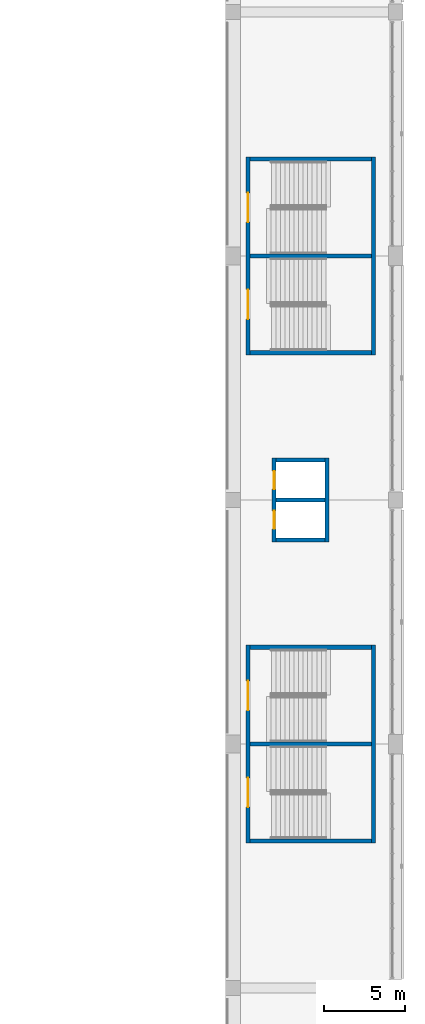
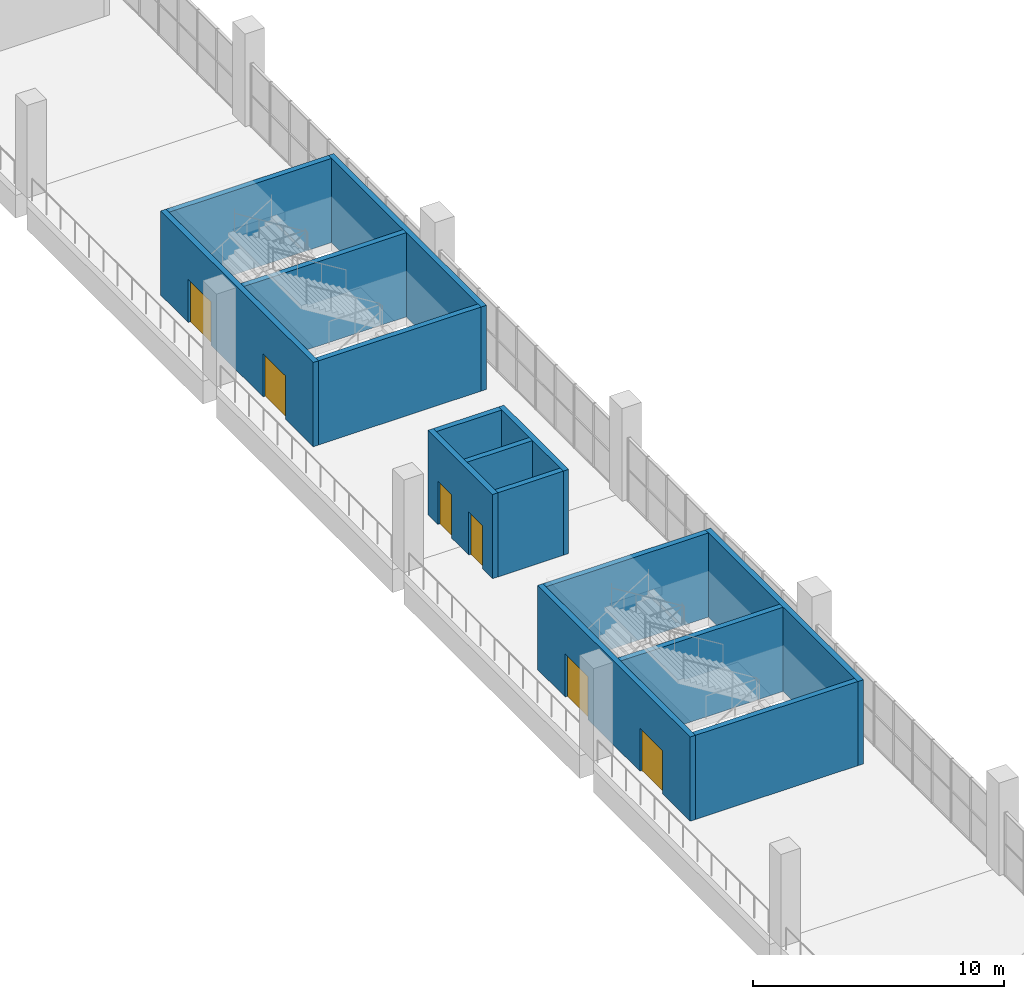
# One storey, part 65 of 177: 15 walls, 6 doors, 6 openings.
"""IFC4 building model written with IfcOpenShell, lengths in metres."""

import ifcopenshell
import ifcopenshell.guid

model = None  # the IFC model being written
_history = None  # IfcOwnerHistory: only IFC2X3 demands one
_inside = {}  # id of a spatial element -> (the spatial element, [elements in it])
_under = {}  # id of a project, library or spatial element -> (it, [spatial elements below it])
_declared = {}  # id of a project -> (the project, [libraries it declares])
_typed = {}  # id of a type object -> (the type object, [elements of that type])
_made_of = {}  # id of a material, layer set ... -> (it, [elements and type objects made of it])


def new_model(schema):
    """Start an empty IFC model of exactly this schema.

    Asked for "IFC4X3", IfcOpenShell would pick the latest addendum, in which some entities
    have other attributes; the version numbers below select the first issue.
    IFC2X3 requires an IfcOwnerHistory on every rooted entity: one is made here for all.
    """
    global model, _history
    if schema == "IFC4X3":
        model = ifcopenshell.file(schema_version=(4, 3, 0, 0))
    else:
        model = ifcopenshell.file(schema=schema)
    _inside.clear()
    _under.clear()
    _declared.clear()
    _typed.clear()
    _made_of.clear()
    _history = None
    if model.schema == "IFC2X3":
        org = make("IfcOrganization", Name="unknown")
        user = make(
            "IfcPersonAndOrganization",
            ThePerson=make("IfcPerson", FamilyName="unknown"),
            TheOrganization=org,
        )
        app = make(
            "IfcApplication",
            ApplicationDeveloper=org,
            Version="unknown",
            ApplicationFullName="unknown",
            ApplicationIdentifier="unknown",
        )
        _history = make(
            "IfcOwnerHistory",
            OwningUser=user,
            OwningApplication=app,
            ChangeAction="ADDED",
            CreationDate=0,
        )
    return model


def make(cls, **values):
    """One entity of the class cls with the attributes given. An attribute that is None is left unset."""
    return model.create_entity(
        cls, **{name: value for name, value in values.items() if value is not None}
    )


def rooted(cls, **values):
    """An entity with a GlobalId (a new one), such as an element, a storey or a relation."""
    return make(cls, GlobalId=ifcopenshell.guid.new(), OwnerHistory=_history, **values)


def si_unit(unit_type, name, prefix=None):
    """IfcSIUnit, for example si_unit("LENGTHUNIT", "METRE", prefix="MILLI")."""
    return make("IfcSIUnit", UnitType=unit_type, Prefix=prefix, Name=name)


def assignment(units):
    """IfcUnitAssignment: the units of a project."""
    return None if units is None else make("IfcUnitAssignment", Units=units)


def point(xyz):
    """IfcCartesianPoint."""
    return None if xyz is None else make("IfcCartesianPoint", Coordinates=xyz)


def direction(xyz):
    """IfcDirection."""
    return None if xyz is None else make("IfcDirection", DirectionRatios=xyz)


def frame(location, z_axis=None, x_axis=None):
    """IfcAxis2Placement3D, a coordinate frame: its origin and axes. An axis left out is left unset."""
    return make(
        "IfcAxis2Placement3D",
        Location=point(location),
        Axis=direction(z_axis),
        RefDirection=direction(x_axis),
    )


def frame_2d(location, x_axis=None):
    """IfcAxis2Placement2D, a coordinate frame in the plane: its origin and x axis."""
    return make(
        "IfcAxis2Placement2D", Location=point(location), RefDirection=direction(x_axis)
    )


def origin():
    """The frame at (0, 0, 0) with its axes left unset."""
    return frame((0.0, 0.0, 0.0))


def place(relative_to, where):
    """IfcLocalPlacement: puts the frame where relative to a parent placement (None: the world)."""
    return make(
        "IfcLocalPlacement", PlacementRelTo=relative_to, RelativePlacement=where
    )


def context(
    kind, dimensions, precision=None, world=None, true_north=None, identifier=None
):
    """IfcGeometricRepresentationContext, for example the 3D "Model" context."""
    return make(
        "IfcGeometricRepresentationContext",
        ContextIdentifier=identifier,
        ContextType=kind,
        CoordinateSpaceDimension=dimensions,
        Precision=precision,
        WorldCoordinateSystem=world,
        TrueNorth=true_north,
    )


def subcontext(parent, identifier, kind, view, scale=None):
    """IfcGeometricRepresentationSubContext, for example "Body" below "Model"."""
    return make(
        "IfcGeometricRepresentationSubContext",
        ContextIdentifier=identifier,
        ContextType=kind,
        ParentContext=parent,
        TargetScale=scale,
        TargetView=view,
    )


def project(units=None, contexts=None):
    """IfcProject with its units and contexts."""
    return rooted(
        "IfcProject",
        Name="project",
        RepresentationContexts=contexts,
        UnitsInContext=assignment(units),
    )


def spatial(cls, under=None, at=None, **own):
    """A site, building, storey or space (cls), placed at a placement, below another one or the project."""
    s = rooted(cls, ObjectPlacement=at, **own)
    if under is not None:
        _under.setdefault(under.id(), (under, []))[1].append(s)
    return s


def profile(cls, at=None, kind="AREA", **sizes):
    """A parametric profile (cls). Its sizes go by their IFC names, for example OverallWidth=200.0."""
    return make(cls, ProfileType=kind, Position=at, **sizes)


def rectangle(**sizes):
    """IfcRectangleProfileDef."""
    return profile("IfcRectangleProfileDef", **sizes)


def extrude(swept, where, along, depth):
    """IfcExtrudedAreaSolid: the profile swept, set in the frame where, extruded along a direction by depth."""
    return make(
        "IfcExtrudedAreaSolid",
        SweptArea=swept,
        Position=where,
        ExtrudedDirection=direction(along),
        Depth=depth,
    )


def shape(context_of_items, identifier, shape_type, items):
    """IfcShapeRepresentation: the items that make up one representation, for example the "Body"."""
    return make(
        "IfcShapeRepresentation",
        ContextOfItems=context_of_items,
        RepresentationIdentifier=identifier,
        RepresentationType=shape_type,
        Items=items,
    )


def material(Name=None, Category=None):
    """IfcMaterial."""
    return make("IfcMaterial", Name=Name, Category=Category)


def layer(
    of_material, thickness, ventilated=None, Name=None, Category=None, Priority=None
):
    """IfcMaterialLayer: one layer of a wall or slab, of a material (None: an air gap)."""
    return make(
        "IfcMaterialLayer",
        Material=of_material,
        LayerThickness=thickness,
        IsVentilated=ventilated,
        Name=Name,
        Category=Category,
        Priority=Priority,
    )


def layer_set(layers, Name=None):
    """IfcMaterialLayerSet."""
    return make("IfcMaterialLayerSet", MaterialLayers=layers, LayerSetName=Name)


def made_of(thing, what):
    """Note that an element or type object is made of a material, layer set ...; save() writes the relation."""
    if what is not None:
        _made_of.setdefault(what.id(), (what, []))[1].append(thing)
    return thing


def type_object(cls, material=None, **own):
    """A type object (cls), such as IfcWallType, which elements share."""
    return made_of(rooted(cls, **own), material)


def element(
    cls,
    number,
    at=None,
    inside=None,
    cuts=None,
    type_object=None,
    material=None,
    context=None,
    identifier="Body",
    shape_type=None,
    held_by="IfcProductDefinitionShape",
    body=None,
    shapes=None,
    **own,
):
    """One element of the class cls, such as IfcWall. Its Tag is "e" and its number.

    at: its placement. inside: the storey or other place that contains it. cuts: it is an
    opening in that element (IfcRelVoidsElement). A single representation is given by context,
    identifier, shape_type and body (its items); several are given by shapes. held_by: the class
    of the entity that holds the representations. save() writes the other relations.
    """
    e = rooted(cls, Tag="e%d" % number, ObjectPlacement=at, **own)
    if body is not None:
        shapes = [shape(context, identifier, shape_type, body)]
    if shapes is not None:
        e.Representation = make(held_by, Representations=shapes)
    if inside is not None:
        _inside.setdefault(inside.id(), (inside, []))[1].append(e)
    if cuts is not None:
        rooted(
            "IfcRelVoidsElement", RelatingBuildingElement=cuts, RelatedOpeningElement=e
        )
    if type_object is not None:
        _typed.setdefault(type_object.id(), (type_object, []))[1].append(e)
    return made_of(e, material)


def fill(opening, filler):
    """IfcRelFillsElement: the door or window that sits in an opening."""
    return rooted(
        "IfcRelFillsElement",
        RelatingOpeningElement=opening,
        RelatedBuildingElement=filler,
    )


def aggregate(whole, parts):
    """IfcRelAggregates: a whole, such as a stair, and the parts it consists of."""
    return rooted("IfcRelAggregates", RelatingObject=whole, RelatedObjects=parts)


def save(model, path):
    """Write the relations noted so far, then the file.

    IfcRelAggregates (storeys below a building ...), IfcRelContainedInSpatialStructure (elements
    in a storey), IfcRelDefinesByType, IfcRelAssociatesMaterial and IfcRelDeclares: one each for
    every whole, place, type object, material and project.
    """
    for whole, parts in _under.values():
        aggregate(whole, parts)
    for where, things in _inside.values():
        rooted(
            "IfcRelContainedInSpatialStructure",
            RelatedElements=things,
            RelatingStructure=where,
        )
    for kind, things in _typed.values():
        rooted("IfcRelDefinesByType", RelatedObjects=things, RelatingType=kind)
    for what, things in _made_of.values():
        rooted("IfcRelAssociatesMaterial", RelatedObjects=things, RelatingMaterial=what)
    for by, libraries in _declared.values():
        rooted("IfcRelDeclares", RelatingContext=by, RelatedDefinitions=libraries)
    model.write(path)


model = new_model("IFC4")

# Units and contexts
model_context = context("Model", 3, precision=1e-05, world=origin(), true_north=direction((0.0, 1.0)))
body_context = subcontext(model_context, "Body", "Model", "MODEL_VIEW")
ifc_project = project(units=[si_unit("LENGTHUNIT", "METRE"), si_unit("AREAUNIT", "SQUARE_METRE"), si_unit("VOLUMEUNIT", "CUBIC_METRE"), si_unit("PLANEANGLEUNIT", "RADIAN"), si_unit("MASSUNIT", "GRAM", prefix="KILO")], contexts=[model_context])

# Site, building, storey
site_placement = place(None, origin())
site = spatial("IfcSite", under=ifc_project, at=site_placement, CompositionType="ELEMENT")
building_placement = place(site_placement, origin())
building = spatial("IfcBuilding", under=site, at=building_placement, Name="Ogive Plaza Stadium", CompositionType="ELEMENT")
storey_placement = place(building_placement, frame((0.0, 0.0, 18.0)))
storey = spatial("IfcBuildingStorey", under=building, at=storey_placement, Name="L04", CompositionType="ELEMENT", Elevation=18.0)

# Wall, openings, doors
ifc_material_1 = material(Name="Concrete C40/50", Category="concrete")
ifc_layer = layer(ifc_material_1, 0.25)
ifc_layer_set = layer_set([ifc_layer], Name="Concrete C40/50")
wall_type = type_object("IfcWallType", Name="Core wall 250", PredefinedType="SHEAR", material=ifc_layer_set)
wall_1_placement = place(storey_placement, frame((74.925048828125, 1.425048828125, 0.0), z_axis=(0.0, 0.0, 1.0), x_axis=(0.0, 1.0, 0.0)))
wall_1 = element("IfcWall", 1, at=wall_1_placement, inside=storey, type_object=wall_type, Name="Stair core R04 inner wall", PredefinedType="SHEAR", context=body_context, shape_type="SweptSolid", body=[
    extrude(rectangle(XDim=12.14990234375, YDim=0.25, at=frame_2d((6.074951171875, 0.0))), origin(), (0.0, 0.0, 1.0), 4.090087890625),
])
opening_1_placement = place(wall_1_placement, frame((2.199951171875, 0.0, 0.0)))
opening_1 = element("IfcOpeningElement", 2, at=opening_1_placement, cuts=wall_1, Name="Opening D0063", PredefinedType="OPENING", context=body_context, shape_type="SweptSolid", body=[
    extrude(rectangle(XDim=1.800048828125, YDim=2.10009765625, at=frame_2d((0.89990234375, 1.050048828125))), frame((0.0, 0.125, 0.0), z_axis=(0.0, -1.0, 0.0), x_axis=(1.0, 0.0, 0.0)), (0.0, 0.0, 1.0), 0.25),
])
opening_2_placement = place(wall_1_placement, frame((8.14990234375, 0.0, 0.0)))
opening_2 = element("IfcOpeningElement", 3, at=opening_2_placement, cuts=wall_1, Name="Opening D0064", PredefinedType="OPENING", context=body_context, shape_type="SweptSolid", body=[
    extrude(rectangle(XDim=1.800048828125, YDim=2.10009765625, at=frame_2d((0.89990234375, 1.050048828125))), frame((0.0, 0.125, 0.0), z_axis=(0.0, -1.0, 0.0), x_axis=(1.0, 0.0, 0.0)), (0.0, 0.0, 1.0), 0.25),
])
ifc_material_2 = material(Name="Steel ASTM A572 Grade 50", Category="steel")
door_type_1 = type_object("IfcDoorType", Name="Fire door FD90 pair 1800 x 2100", OperationType="DOUBLE_DOOR_SINGLE_SWING", PredefinedType="DOOR", material=ifc_material_2)
door_1_placement = place(opening_1_placement, origin())
door_1 = element("IfcDoor", 4, at=door_1_placement, inside=storey, type_object=door_type_1, Name="Exit stair R04A door L04", OperationType="DOUBLE_DOOR_SINGLE_SWING", OverallHeight=2.10009765625, OverallWidth=1.800048828125, PredefinedType="DOOR", context=body_context, shape_type="SweptSolid", body=[
    extrude(rectangle(XDim=1.800048828125, YDim=2.10009765625, at=frame_2d((0.89990234375, 1.050048828125))), frame((0.0, 0.02490234375, 0.0), z_axis=(0.0, -1.0, 0.0), x_axis=(1.0, 0.0, 0.0)), (0.0, 0.0, 1.0), 0.050048828125),
])
fill(opening_1, door_1)
door_2_placement = place(opening_2_placement, origin())
door_2 = element("IfcDoor", 5, at=door_2_placement, inside=storey, type_object=door_type_1, Name="Exit stair R04B door L04", OperationType="DOUBLE_DOOR_SINGLE_SWING", OverallHeight=2.10009765625, OverallWidth=1.800048828125, PredefinedType="DOOR", context=body_context, shape_type="SweptSolid", body=[
    extrude(rectangle(XDim=1.800048828125, YDim=2.10009765625, at=frame_2d((0.89990234375, 1.050048828125))), frame((0.0, 0.02490234375, 0.0), z_axis=(0.0, -1.0, 0.0), x_axis=(1.0, 0.0, 0.0)), (0.0, 0.0, 1.0), 0.050048828125),
])
fill(opening_2, door_2)

# Walls
wall_2_placement = place(storey_placement, frame((82.635009765625, 1.425048828125, 0.0), z_axis=(0.0, 0.0, 1.0), x_axis=(0.0, 1.0, 0.0)))
element("IfcWall", 6, at=wall_2_placement, inside=storey, type_object=wall_type, Name="Stair core R04 outer wall", PredefinedType="SHEAR", context=body_context, shape_type="SweptSolid", body=[
    extrude(rectangle(XDim=12.14990234375, YDim=0.25, at=frame_2d((6.074951171875, 0.0))), origin(), (0.0, 0.0, 1.0), 4.090087890625),
])
for number, where, z_axis, x_axis, name in (
    (7, (75.050048828125, 1.550048828125, 0.0), (0.0, 0.0, 1.0), (1.0, 0.0, 0.0), "Stair core R04 side wall"),
    (8, (75.050048828125, 13.449951171875, 0.0), (0.0, 0.0, 1.0), (1.0, 0.0, 0.0), "Stair core R04 side wall"),
    (9, (75.050048828125, 7.5, 0.0), (0.0, 0.0, 1.0), (1.0, 0.0, 0.0), "Stair core R04 centre wall"),
):
    element("IfcWall", number, at=place(storey_placement, frame(where, z_axis=z_axis, x_axis=x_axis)), inside=storey, type_object=wall_type, Name=name, PredefinedType="SHEAR", context=body_context, shape_type="SweptSolid", body=[
        extrude(rectangle(XDim=7.4599609375, YDim=0.25, at=frame_2d((3.72998046875, 0.0))), origin(), (0.0, 0.0, 1.0), 4.090087890625),
    ])

# Wall, openings, doors
wall_3_placement = place(storey_placement, frame((74.925048828125, -28.574951171875, 0.0), z_axis=(0.0, 0.0, 1.0), x_axis=(0.0, 1.0, 0.0)))
wall_3 = element("IfcWall", 10, at=wall_3_placement, inside=storey, type_object=wall_type, Name="Stair core R06 inner wall", PredefinedType="SHEAR", context=body_context, shape_type="SweptSolid", body=[
    extrude(rectangle(XDim=12.14990234375, YDim=0.25, at=frame_2d((6.074951171875, 0.0))), origin(), (0.0, 0.0, 1.0), 4.090087890625),
])
opening_3_placement = place(wall_3_placement, frame((2.199951171875, 0.0, 0.0)))
opening_3 = element("IfcOpeningElement", 11, at=opening_3_placement, cuts=wall_3, Name="Opening D0077", PredefinedType="OPENING", context=body_context, shape_type="SweptSolid", body=[
    extrude(rectangle(XDim=1.800048828125, YDim=2.10009765625, at=frame_2d((0.89990234375, 1.050048828125))), frame((0.0, 0.125, 0.0), z_axis=(0.0, -1.0, 0.0), x_axis=(1.0, 0.0, 0.0)), (0.0, 0.0, 1.0), 0.25),
])
opening_4_placement = place(wall_3_placement, frame((8.14990234375, 0.0, 0.0)))
opening_4 = element("IfcOpeningElement", 12, at=opening_4_placement, cuts=wall_3, Name="Opening D0078", PredefinedType="OPENING", context=body_context, shape_type="SweptSolid", body=[
    extrude(rectangle(XDim=1.800048828125, YDim=2.10009765625, at=frame_2d((0.89990234375, 1.050048828125))), frame((0.0, 0.125, 0.0), z_axis=(0.0, -1.0, 0.0), x_axis=(1.0, 0.0, 0.0)), (0.0, 0.0, 1.0), 0.25),
])
door_3_placement = place(opening_3_placement, origin())
door_3 = element("IfcDoor", 13, at=door_3_placement, inside=storey, type_object=door_type_1, Name="Exit stair R06A door L04", OperationType="DOUBLE_DOOR_SINGLE_SWING", OverallHeight=2.10009765625, OverallWidth=1.800048828125, PredefinedType="DOOR", context=body_context, shape_type="SweptSolid", body=[
    extrude(rectangle(XDim=1.800048828125, YDim=2.10009765625, at=frame_2d((0.89990234375, 1.050048828125))), frame((0.0, 0.02490234375, 0.0), z_axis=(0.0, -1.0, 0.0), x_axis=(1.0, 0.0, 0.0)), (0.0, 0.0, 1.0), 0.050048828125),
])
fill(opening_3, door_3)
door_4_placement = place(opening_4_placement, origin())
door_4 = element("IfcDoor", 14, at=door_4_placement, inside=storey, type_object=door_type_1, Name="Exit stair R06B door L04", OperationType="DOUBLE_DOOR_SINGLE_SWING", OverallHeight=2.10009765625, OverallWidth=1.800048828125, PredefinedType="DOOR", context=body_context, shape_type="SweptSolid", body=[
    extrude(rectangle(XDim=1.800048828125, YDim=2.10009765625, at=frame_2d((0.89990234375, 1.050048828125))), frame((0.0, 0.02490234375, 0.0), z_axis=(0.0, -1.0, 0.0), x_axis=(1.0, 0.0, 0.0)), (0.0, 0.0, 1.0), 0.050048828125),
])
fill(opening_4, door_4)

# Walls
wall_4_placement = place(storey_placement, frame((82.635009765625, -28.574951171875, 0.0), z_axis=(0.0, 0.0, 1.0), x_axis=(0.0, 1.0, 0.0)))
element("IfcWall", 15, at=wall_4_placement, inside=storey, type_object=wall_type, Name="Stair core R06 outer wall", PredefinedType="SHEAR", context=body_context, shape_type="SweptSolid", body=[
    extrude(rectangle(XDim=12.14990234375, YDim=0.25, at=frame_2d((6.074951171875, 0.0))), origin(), (0.0, 0.0, 1.0), 4.090087890625),
])
for number, where, z_axis, x_axis, name in (
    (16, (75.050048828125, -28.449951171875, 0.0), (0.0, 0.0, 1.0), (1.0, 0.0, 0.0), "Stair core R06 side wall"),
    (17, (75.050048828125, -16.550048828125, 0.0), (0.0, 0.0, 1.0), (1.0, 0.0, 0.0), "Stair core R06 side wall"),
    (18, (75.050048828125, -22.5, 0.0), (0.0, 0.0, 1.0), (1.0, 0.0, 0.0), "Stair core R06 centre wall"),
):
    element("IfcWall", number, at=place(storey_placement, frame(where, z_axis=z_axis, x_axis=x_axis)), inside=storey, type_object=wall_type, Name=name, PredefinedType="SHEAR", context=body_context, shape_type="SweptSolid", body=[
        extrude(rectangle(XDim=7.4599609375, YDim=0.25, at=frame_2d((3.72998046875, 0.0))), origin(), (0.0, 0.0, 1.0), 4.090087890625),
    ])

# Wall, openings, doors
wall_5_placement = place(storey_placement, frame((76.52490234375, -10.074951171875, 0.0), z_axis=(0.0, 0.0, 1.0), x_axis=(0.0, 1.0, 0.0)))
wall_5 = element("IfcWall", 19, at=wall_5_placement, inside=storey, type_object=wall_type, Name="Lift core LP05 landing wall", PredefinedType="SHEAR", context=body_context, shape_type="SweptSolid", body=[
    extrude(rectangle(XDim=5.14990234375, YDim=0.25, at=frame_2d((2.574951171875, 0.0))), origin(), (0.0, 0.0, 1.0), 4.090087890625),
])
opening_5_placement = place(wall_5_placement, frame((0.800048828125, 0.0, 0.0)))
opening_5 = element("IfcOpeningElement", 20, at=opening_5_placement, cuts=wall_5, Name="Opening LD017", PredefinedType="OPENING", context=body_context, shape_type="SweptSolid", body=[
    extrude(rectangle(XDim=1.10009765625, YDim=2.10009765625, at=frame_2d((0.550048828125, 1.050048828125))), frame((0.0, 0.125, 0.0), z_axis=(0.0, -1.0, 0.0), x_axis=(1.0, 0.0, 0.0)), (0.0, 0.0, 1.0), 0.25),
])
opening_6_placement = place(wall_5_placement, frame((3.25, 0.0, 0.0)))
opening_6 = element("IfcOpeningElement", 21, at=opening_6_placement, cuts=wall_5, Name="Opening LD018", PredefinedType="OPENING", context=body_context, shape_type="SweptSolid", body=[
    extrude(rectangle(XDim=1.10009765625, YDim=2.10009765625, at=frame_2d((0.550048828125, 1.050048828125))), frame((0.0, 0.125, 0.0), z_axis=(0.0, -1.0, 0.0), x_axis=(1.0, 0.0, 0.0)), (0.0, 0.0, 1.0), 0.25),
])
ifc_material_3 = material(Name="Steel ASTM A572 Grade 50", Category="steel")
door_type_2 = type_object("IfcDoorType", Name="Landing door 1100 x 2100", OperationType="SLIDING_TO_LEFT", PredefinedType="DOOR", material=ifc_material_3)
door_5_placement = place(opening_5_placement, origin())
door_5 = element("IfcDoor", 22, at=door_5_placement, inside=storey, type_object=door_type_2, Name="Lift landing door LP05 L04", OperationType="SLIDING_TO_LEFT", OverallHeight=2.10009765625, OverallWidth=1.10009765625, PredefinedType="DOOR", context=body_context, shape_type="SweptSolid", body=[
    extrude(rectangle(XDim=1.10009765625, YDim=2.10009765625, at=frame_2d((0.550048828125, 1.050048828125))), frame((0.0, 0.02490234375, 0.0), z_axis=(0.0, -1.0, 0.0), x_axis=(1.0, 0.0, 0.0)), (0.0, 0.0, 1.0), 0.050048828125),
])
fill(opening_5, door_5)
door_6_placement = place(opening_6_placement, origin())
door_6 = element("IfcDoor", 23, at=door_6_placement, inside=storey, type_object=door_type_2, Name="Lift landing door LP05 L04", OperationType="SLIDING_TO_LEFT", OverallHeight=2.10009765625, OverallWidth=1.10009765625, PredefinedType="DOOR", context=body_context, shape_type="SweptSolid", body=[
    extrude(rectangle(XDim=1.10009765625, YDim=2.10009765625, at=frame_2d((0.550048828125, 1.050048828125))), frame((0.0, 0.02490234375, 0.0), z_axis=(0.0, -1.0, 0.0), x_axis=(1.0, 0.0, 0.0)), (0.0, 0.0, 1.0), 0.050048828125),
])
fill(opening_6, door_6)

# Walls
wall_6_placement = place(storey_placement, frame((79.77490234375, -10.074951171875, 0.0), z_axis=(0.0, 0.0, 1.0), x_axis=(0.0, 1.0, 0.0)))
element("IfcWall", 24, at=wall_6_placement, inside=storey, type_object=wall_type, Name="Lift core LP05 rear wall", PredefinedType="SHEAR", context=body_context, shape_type="SweptSolid", body=[
    extrude(rectangle(XDim=5.14990234375, YDim=0.25, at=frame_2d((2.574951171875, 0.0))), origin(), (0.0, 0.0, 1.0), 4.090087890625),
])
for number, where, z_axis, x_axis, name in (
    (25, (76.64990234375, -9.949951171875, 0.0), (0.0, 0.0, 1.0), (1.0, 0.0, 0.0), "Lift core LP05 side wall"),
    (26, (76.64990234375, -5.050048828125, 0.0), (0.0, 0.0, 1.0), (1.0, 0.0, 0.0), "Lift core LP05 side wall"),
    (27, (76.64990234375, -7.5, 0.0), (0.0, 0.0, 1.0), (1.0, 0.0, 0.0), "Lift core LP05 centre wall"),
):
    element("IfcWall", number, at=place(storey_placement, frame(where, z_axis=z_axis, x_axis=x_axis)), inside=storey, type_object=wall_type, Name=name, PredefinedType="SHEAR", context=body_context, shape_type="SweptSolid", body=[
        extrude(rectangle(XDim=3.0, YDim=0.25, at=frame_2d((1.5, 0.0))), origin(), (0.0, 0.0, 1.0), 4.090087890625),
    ])

save(model, "model.ifc")
